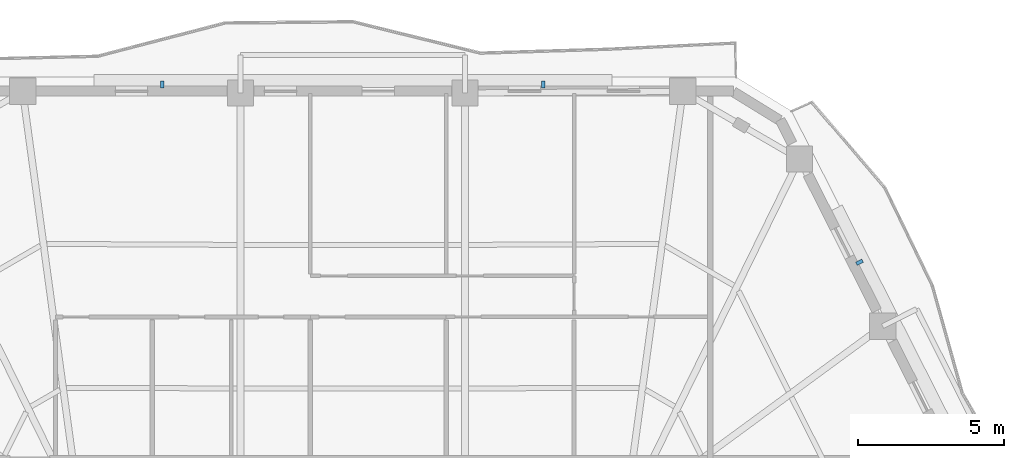
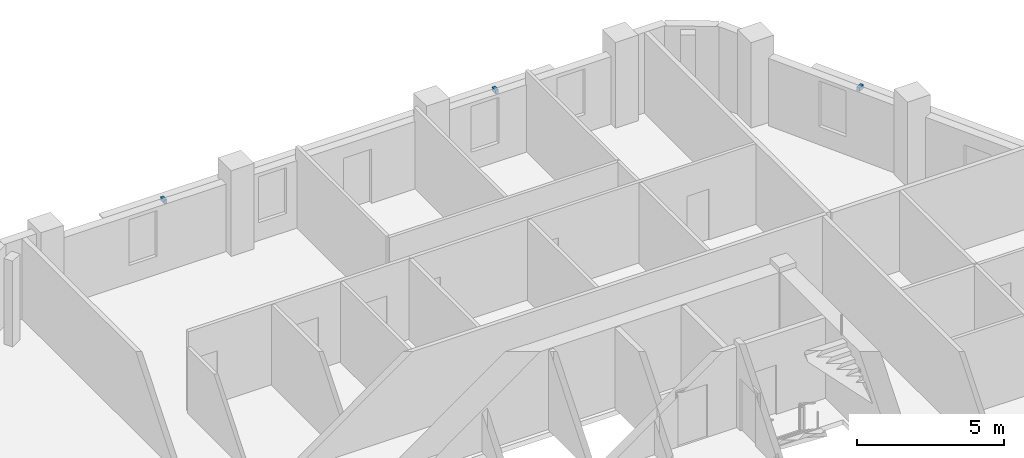
# One storey, part 9 of 12: 3 discrete accessories.
"""IFC4 building model written with IfcOpenShell, lengths in metres."""

from ifc_helpers import new_model, si_unit, direction, frame, origin, origin_2d, place, context, subcontext, project, spatial, rectangle, extrude, material, type_object, element, save


model = new_model("IFC4")

# Units and contexts
model_context = context("Model", 3, precision=1e-05, world=origin(), true_north=direction((0.0, 1.0)))
body_context = subcontext(model_context, "Body", "Model", "MODEL_VIEW")
ifc_project = project(units=[si_unit("LENGTHUNIT", "METRE"), si_unit("AREAUNIT", "SQUARE_METRE"), si_unit("VOLUMEUNIT", "CUBIC_METRE"), si_unit("PLANEANGLEUNIT", "RADIAN"), si_unit("MASSUNIT", "GRAM", prefix="KILO")], contexts=[model_context])

# Site, building, storey
site_placement = place(None, origin())
site = spatial("IfcSite", under=ifc_project, at=site_placement, CompositionType="ELEMENT")
building_placement = place(site_placement, origin())
building = spatial("IfcBuilding", under=site, at=building_placement, Name="Cinnabar Lancet Tower", CompositionType="ELEMENT")
storey_placement = place(building_placement, frame((0.0, 0.0, 157.050048828125)))
storey = spatial("IfcBuildingStorey", under=building, at=storey_placement, Name="L41", CompositionType="ELEMENT", Elevation=157.050048828125)

# Discrete accessories
ifc_material = material(Name="Stainless steel 316 facade fixing bracket", Category="steel")
discrete_accessory_type = type_object("IfcDiscreteAccessoryType", Name="ENV-ACC-BRK-180", PredefinedType="BRACKET", material=ifc_material)
for number, where, z_axis, x_axis, name in (
    (1, (49.698974609375, 41.827880859375, 2.60009765625), (0.0, 0.0, 1.0), (-0.451453853408, 0.892294468347, 0.0), "L41 Face 3 Sunshade Bracket B"),
    (2, (38.90087890625, 47.889892578125, 2.60009765625), (0.0, 0.0, 1.0), (-1.0, 0.0, 0.0), "L41 Face 4 Sunshade Bracket A"),
    (3, (25.89892578125, 47.889892578125, 2.60009765625), (0.0, 0.0, 1.0), (-1.0, 0.0, 0.0), "L41 Face 4 Sunshade Bracket B"),
):
    element("IfcDiscreteAccessory", number, at=place(storey_placement, frame(where, z_axis=z_axis, x_axis=x_axis)), inside=storey, type_object=discrete_accessory_type, Name=name, PredefinedType="BRACKET", context=body_context, shape_type="SweptSolid", body=[
        extrude(rectangle(XDim=0.1201171875, YDim=0.239990234375, at=origin_2d()), origin(), (0.0, 0.0, 1.0), 0.159912109375),
    ])

save(model, "model.ifc")
